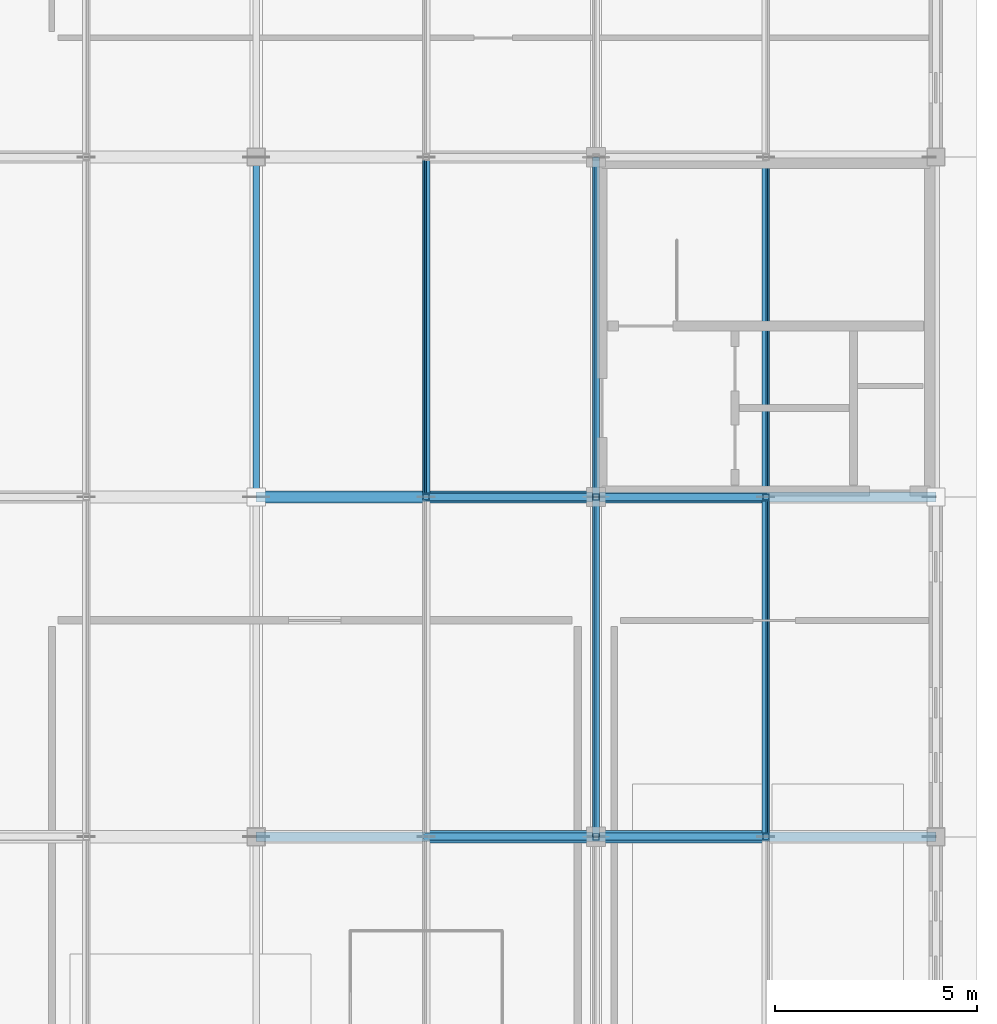
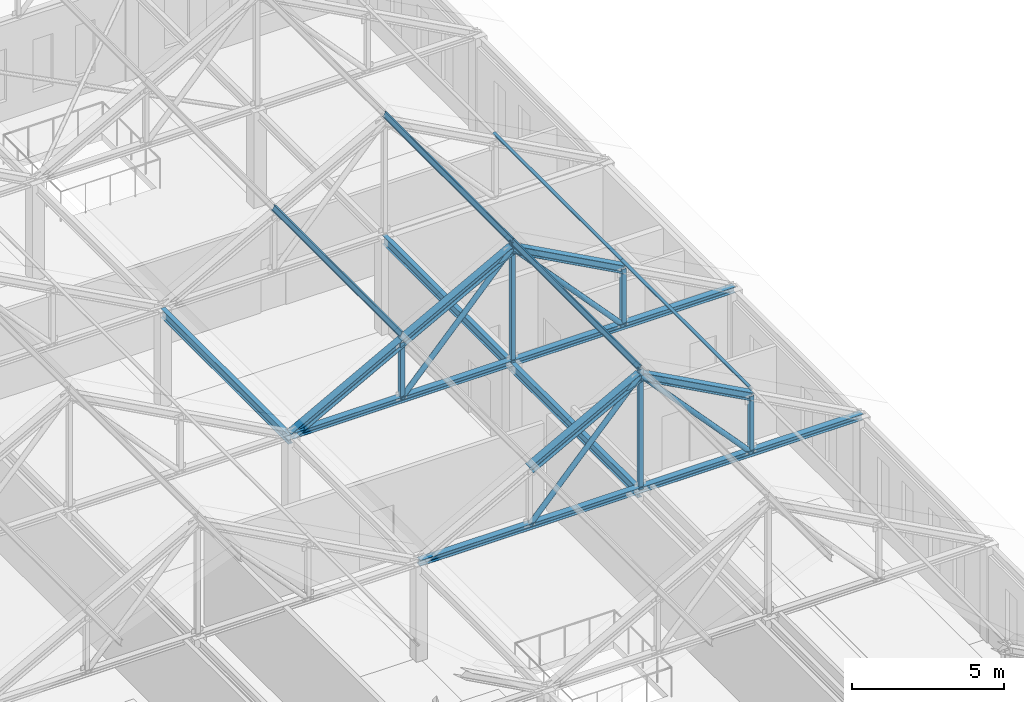
# One storey, part 10 of 36: 21 members, 3 beams.
"""IFC4 building model written with IfcOpenShell, lengths in metres."""

from ifc_helpers import new_model, si_unit, direction, frame, origin, origin_2d, place, context, subcontext, project, spatial, hollow_rectangle, hollow_circle, i_section, extrude, material, material_profile, profile_set, type_object, element, save


model = new_model("IFC4")

# Units and contexts
model_context = context("Model", 3, precision=1e-05, world=origin(), true_north=direction((0.0, 1.0)))
body_context = subcontext(model_context, "Body", "Model", "MODEL_VIEW")
ifc_project = project(units=[si_unit("LENGTHUNIT", "METRE"), si_unit("AREAUNIT", "SQUARE_METRE"), si_unit("VOLUMEUNIT", "CUBIC_METRE"), si_unit("PLANEANGLEUNIT", "RADIAN"), si_unit("MASSUNIT", "GRAM", prefix="KILO")], contexts=[model_context])

# Site, building, storey
site_placement = place(None, origin())
site = spatial("IfcSite", under=ifc_project, at=site_placement, CompositionType="ELEMENT")
building_placement = place(site_placement, origin())
building = spatial("IfcBuilding", under=site, at=building_placement, Name="Kveldsbrygga Polytechnic", CompositionType="ELEMENT")
storey_placement = place(building_placement, frame((0.0, 0.0, 26.179931640625)))
storey = spatial("IfcBuildingStorey", under=building, at=storey_placement, Name="L06", CompositionType="ELEMENT", Elevation=26.179931640625)

# Beams
ifc_material = material(Name="Steel S355", Category="steel")
ifc_material_profile_1 = material_profile(ifc_material, i_section(OverallWidth=0.169921875, OverallDepth=0.360107421875, WebThickness=0.008056640625, FlangeThickness=0.0126953125, FilletRadius=0.01806640625, at=origin_2d()), Name="IPE 360")
ifc_profile_set_1 = profile_set([ifc_material_profile_1], Name="Steel S355")
beam_type = type_object("IfcBeamType", Name="BM-STL-IPE360", PredefinedType="BEAM", material=ifc_profile_set_1)
beam_1_placement = place(storey_placement, frame((142.800048828125, 75.60009765625, 3.66015625), z_axis=(0.0, 1.0, 0.0), x_axis=(-1.0, 0.0, 0.0)))
element("IfcBeam", 1, at=beam_1_placement, inside=storey, type_object=beam_type, Name="Attic Eaves Tie Beam BMY-L06-TOP-17-09", PredefinedType="BEAM", context=body_context, shape_type="SweptSolid", body=[
    extrude(i_section(OverallWidth=0.169921875, OverallDepth=0.360107421875, WebThickness=0.008056640625, FlangeThickness=0.0126953125, FilletRadius=0.01806640625, at=origin_2d()), origin(), (0.0, 0.0, 1.0), 8.39990234375),
])
beam_2_placement = place(storey_placement, frame((151.199951171875, 67.199951171875, 3.66015625), z_axis=(0.0, 1.0, 0.0), x_axis=(-1.0, 0.0, 0.0)))
element("IfcBeam", 2, at=beam_2_placement, inside=storey, type_object=beam_type, Name="Attic Eaves Tie Beam BMY-L06-TOP-18-08", PredefinedType="BEAM", context=body_context, shape_type="SweptSolid", body=[
    extrude(i_section(OverallWidth=0.169921875, OverallDepth=0.360107421875, WebThickness=0.008056640625, FlangeThickness=0.0126953125, FilletRadius=0.01806640625, at=origin_2d()), origin(), (0.0, 0.0, 1.0), 8.400146484375),
])
beam_3_placement = place(storey_placement, frame((151.199951171875, 75.60009765625, 3.66015625), z_axis=(0.0, 1.0, 0.0), x_axis=(-1.0, 0.0, 0.0)))
element("IfcBeam", 3, at=beam_3_placement, inside=storey, type_object=beam_type, Name="Attic Eaves Tie Beam BMY-L06-TOP-18-09", PredefinedType="BEAM", context=body_context, shape_type="SweptSolid", body=[
    extrude(i_section(OverallWidth=0.169921875, OverallDepth=0.360107421875, WebThickness=0.008056640625, FlangeThickness=0.0126953125, FilletRadius=0.01806640625, at=origin_2d()), origin(), (0.0, 0.0, 1.0), 8.39990234375),
])

# Members
ifc_material_profile_2 = material_profile(ifc_material, i_section(OverallWidth=0.10009765625, OverallDepth=0.199951171875, WebThickness=0.005615234375, FlangeThickness=0.008544921875, FilletRadius=0.011962890625, at=origin_2d()), Name="IPE 200")
ifc_profile_set_2 = profile_set([ifc_material_profile_2], Name="Steel S355")
member_type_1 = type_object("IfcMemberType", Name="PRL-IPE200", PredefinedType="PURLIN", material=ifc_profile_set_2)
for number, where, z_axis, x_axis, name in (
    (4, (151.199951171875, 67.199951171875, 8.668701171875), (0.0, 1.0, 0.0), (-0.879292204483, 0.0, 0.476282709256), "Roof Purlin V4M2-PRL-7-2"),
    (5, (155.39990234375, 67.199951171875, 6.393798828125), (0.0, 1.0, 0.0), (-0.879292204483, 0.0, -0.476282709256), "Roof Purlin V4M2-PRL-7-3"),
):
    element("IfcMember", number, at=place(storey_placement, frame(where, z_axis=z_axis, x_axis=x_axis)), inside=storey, type_object=member_type_1, Name=name, PredefinedType="PURLIN", context=body_context, shape_type="SweptSolid", body=[
        extrude(i_section(OverallWidth=0.10009765625, OverallDepth=0.199951171875, WebThickness=0.005615234375, FlangeThickness=0.008544921875, FilletRadius=0.011962890625, at=origin_2d()), origin(), (0.0, 0.0, 1.0), 8.400146484375),
    ])
for number, where, z_axis, x_axis, name in (
    (6, (147.0, 75.60009765625, 6.393798828125), (0.0, 1.0, 0.0), (-0.879292204483, 0.0, 0.476282709256), "Roof Purlin V4M2-PRL-8-1"),
    (7, (151.199951171875, 75.60009765625, 8.668701171875), (0.0, 1.0, 0.0), (-0.879292204483, 0.0, 0.476282709256), "Roof Purlin V4M2-PRL-8-2"),
    (8, (155.39990234375, 75.60009765625, 6.393798828125), (0.0, 1.0, 0.0), (-0.879292204483, 0.0, -0.476282709256), "Roof Purlin V4M2-PRL-8-3"),
):
    element("IfcMember", number, at=place(storey_placement, frame(where, z_axis=z_axis, x_axis=x_axis)), inside=storey, type_object=member_type_1, Name=name, PredefinedType="PURLIN", context=body_context, shape_type="SweptSolid", body=[
        extrude(i_section(OverallWidth=0.10009765625, OverallDepth=0.199951171875, WebThickness=0.005615234375, FlangeThickness=0.008544921875, FilletRadius=0.011962890625, at=origin_2d()), origin(), (0.0, 0.0, 1.0), 8.39990234375),
    ])
ifc_material_profile_3 = material_profile(ifc_material, i_section(OverallWidth=0.239990234375, OverallDepth=0.22998046875, WebThickness=0.007568359375, FlangeThickness=0.011962890625, FilletRadius=0.02099609375, at=origin_2d()), Name="HEA 240")
ifc_profile_set_3 = profile_set([ifc_material_profile_3], Name="Steel S355")
member_type_2 = type_object("IfcMemberType", Name="TR-BOT-HEA240", PredefinedType="CHORD", material=ifc_profile_set_3)
for number, where, z_axis, x_axis, name in (
    (9, (142.800048828125, 67.199951171875, 3.840087890625), (1.0, 0.0, 0.0), (0.0, 1.0, 0.0), "Truss Bottom Chord V4M2-T07-BC-1"),
    (10, (142.800048828125, 75.60009765625, 3.840087890625), (1.0, 0.0, 0.0), (0.0, 1.0, 0.0), "Truss Bottom Chord V4M2-T08-BC-1"),
):
    element("IfcMember", number, at=place(storey_placement, frame(where, z_axis=z_axis, x_axis=x_axis)), inside=storey, type_object=member_type_2, Name=name, PredefinedType="CHORD", context=body_context, shape_type="SweptSolid", body=[
        extrude(i_section(OverallWidth=0.239990234375, OverallDepth=0.22998046875, WebThickness=0.007568359375, FlangeThickness=0.011962890625, FilletRadius=0.02099609375, at=origin_2d()), origin(), (0.0, 0.0, 1.0), 16.800048828125),
    ])
ifc_material_profile_4 = material_profile(ifc_material, hollow_circle(Radius=0.096923828125, WallThickness=0.010009765625, at=origin_2d()), Name="CHS 193.7x10.0")
ifc_profile_set_4 = profile_set([ifc_material_profile_4], Name="Steel S355")
member_type_3 = type_object("IfcMemberType", Name="TR-DIAG-CHS194", PredefinedType="BRACE", material=ifc_profile_set_4)
for number, where, z_axis, x_axis, name in (
    (11, (147.0, 67.199951171875, 3.840087890625), (0.678271914864, 0.0, 0.734811002576), (0.0, 1.0, 0.0), "Truss Diagonal V4M2-T07-DG-2"),
    (12, (151.199951171875, 67.199951171875, 8.39013671875), (0.678271914864, 0.0, -0.734811002576), (0.0, 1.0, 0.0), "Truss Diagonal V4M2-T07-DG-3"),
    (13, (147.0, 75.60009765625, 3.840087890625), (0.678271914864, 0.0, 0.734811002576), (0.0, 1.0, 0.0), "Truss Diagonal V4M2-T08-DG-2"),
    (14, (151.199951171875, 75.60009765625, 8.39013671875), (0.678271914864, 0.0, -0.734811002576), (0.0, 1.0, 0.0), "Truss Diagonal V4M2-T08-DG-3"),
):
    element("IfcMember", number, at=place(storey_placement, frame(where, z_axis=z_axis, x_axis=x_axis)), inside=storey, type_object=member_type_3, Name=name, PredefinedType="BRACE", context=body_context, shape_type="SweptSolid", body=[
        extrude(hollow_circle(Radius=0.096923828125, WallThickness=0.010009765625, at=origin_2d()), origin(), (0.0, 0.0, 1.0), 6.192138671875),
    ])
ifc_material_profile_5 = material_profile(ifc_material, hollow_rectangle(XDim=0.159912109375, YDim=0.159912109375, WallThickness=0.010009765625, at=origin_2d()), Name="SHS 160x160x10.0")
ifc_profile_set_5 = profile_set([ifc_material_profile_5], Name="Steel S355")
member_type_4 = type_object("IfcMemberType", Name="TR-POST-SHS160", PredefinedType="STRUT", material=ifc_profile_set_5)
member_1_placement = place(storey_placement, frame((151.199951171875, 67.199951171875, 3.840087890625), z_axis=(0.0, 0.0, 1.0), x_axis=(1.0, 0.0, 0.0)))
element("IfcMember", 15, at=member_1_placement, inside=storey, type_object=member_type_4, Name="Truss Vertical V4M2-T07-VT-2", PredefinedType="STRUT", context=body_context, shape_type="SweptSolid", body=[
    extrude(hollow_rectangle(XDim=0.159912109375, YDim=0.159912109375, WallThickness=0.010009765625, at=origin_2d()), origin(), (0.0, 0.0, 1.0), 4.82861328125),
])
for number, where, z_axis, x_axis, name in (
    (16, (155.39990234375, 67.199951171875, 3.840087890625), (0.0, 0.0, 1.0), (1.0, 0.0, 0.0), "Truss Vertical V4M2-T07-VT-3"),
    (17, (147.0, 75.60009765625, 3.840087890625), (0.0, 0.0, 1.0), (1.0, 0.0, 0.0), "Truss Vertical V4M2-T08-VT-1"),
):
    element("IfcMember", number, at=place(storey_placement, frame(where, z_axis=z_axis, x_axis=x_axis)), inside=storey, type_object=member_type_4, Name=name, PredefinedType="STRUT", context=body_context, shape_type="SweptSolid", body=[
        extrude(hollow_rectangle(XDim=0.159912109375, YDim=0.159912109375, WallThickness=0.010009765625, at=origin_2d()), origin(), (0.0, 0.0, 1.0), 2.27490234375),
    ])
member_2_placement = place(storey_placement, frame((151.199951171875, 75.60009765625, 3.840087890625), z_axis=(0.0, 0.0, 1.0), x_axis=(1.0, 0.0, 0.0)))
element("IfcMember", 18, at=member_2_placement, inside=storey, type_object=member_type_4, Name="Truss Vertical V4M2-T08-VT-2", PredefinedType="STRUT", context=body_context, shape_type="SweptSolid", body=[
    extrude(hollow_rectangle(XDim=0.159912109375, YDim=0.159912109375, WallThickness=0.010009765625, at=origin_2d()), origin(), (0.0, 0.0, 1.0), 4.82861328125),
])
member_3_placement = place(storey_placement, frame((155.39990234375, 75.60009765625, 3.840087890625), z_axis=(0.0, 0.0, 1.0), x_axis=(1.0, 0.0, 0.0)))
element("IfcMember", 19, at=member_3_placement, inside=storey, type_object=member_type_4, Name="Truss Vertical V4M2-T08-VT-3", PredefinedType="STRUT", context=body_context, shape_type="SweptSolid", body=[
    extrude(hollow_rectangle(XDim=0.159912109375, YDim=0.159912109375, WallThickness=0.010009765625, at=origin_2d()), origin(), (0.0, 0.0, 1.0), 2.27490234375),
])
ifc_material_profile_6 = material_profile(ifc_material, i_section(OverallWidth=0.300048828125, OverallDepth=0.2900390625, WebThickness=0.008544921875, FlangeThickness=0.013916015625, FilletRadius=0.027099609375, at=origin_2d()), Name="HEA 300")
ifc_profile_set_6 = profile_set([ifc_material_profile_6], Name="Steel S355")
member_type_5 = type_object("IfcMemberType", Name="TR-TOP-HEA300", PredefinedType="CHORD", material=ifc_profile_set_6)
for number, where, z_axis, x_axis, name in (
    (20, (147.0, 67.199951171875, 6.114990234375), (0.879276804059, 0.0, 0.476311139744), (0.0, 1.0, 0.0), "Truss Top Chord V4M2-T07-TC-2"),
    (21, (151.199951171875, 67.199951171875, 8.39013671875), (0.879276804059, 0.0, -0.476311139744), (0.0, 1.0, 0.0), "Truss Top Chord V4M2-T07-TC-3"),
):
    element("IfcMember", number, at=place(storey_placement, frame(where, z_axis=z_axis, x_axis=x_axis)), inside=storey, type_object=member_type_5, Name=name, PredefinedType="CHORD", context=body_context, shape_type="SweptSolid", body=[
        extrude(i_section(OverallWidth=0.300048828125, OverallDepth=0.2900390625, WebThickness=0.008544921875, FlangeThickness=0.013916015625, FilletRadius=0.027099609375, at=origin_2d()), origin(), (0.0, 0.0, 1.0), 4.776611328125),
    ])
member_4_placement = place(storey_placement, frame((142.800048828125, 75.60009765625, 3.840087890625), z_axis=(0.879298209803, 0.0, 0.47627162233), x_axis=(0.0, 1.0, 0.0)))
element("IfcMember", 22, at=member_4_placement, inside=storey, type_object=member_type_5, Name="Truss Top Chord V4M2-T08-TC-1", PredefinedType="CHORD", context=body_context, shape_type="SweptSolid", body=[
    extrude(i_section(OverallWidth=0.300048828125, OverallDepth=0.2900390625, WebThickness=0.008544921875, FlangeThickness=0.013916015625, FilletRadius=0.027099609375, at=origin_2d()), origin(), (0.0, 0.0, 1.0), 4.7763671875),
])
for number, where, z_axis, x_axis, name in (
    (23, (147.0, 75.60009765625, 6.114990234375), (0.879276804059, 0.0, 0.476311139744), (0.0, 1.0, 0.0), "Truss Top Chord V4M2-T08-TC-2"),
    (24, (151.199951171875, 75.60009765625, 8.39013671875), (0.879276804059, 0.0, -0.476311139744), (0.0, 1.0, 0.0), "Truss Top Chord V4M2-T08-TC-3"),
):
    element("IfcMember", number, at=place(storey_placement, frame(where, z_axis=z_axis, x_axis=x_axis)), inside=storey, type_object=member_type_5, Name=name, PredefinedType="CHORD", context=body_context, shape_type="SweptSolid", body=[
        extrude(i_section(OverallWidth=0.300048828125, OverallDepth=0.2900390625, WebThickness=0.008544921875, FlangeThickness=0.013916015625, FilletRadius=0.027099609375, at=origin_2d()), origin(), (0.0, 0.0, 1.0), 4.776611328125),
    ])

save(model, "model.ifc")
